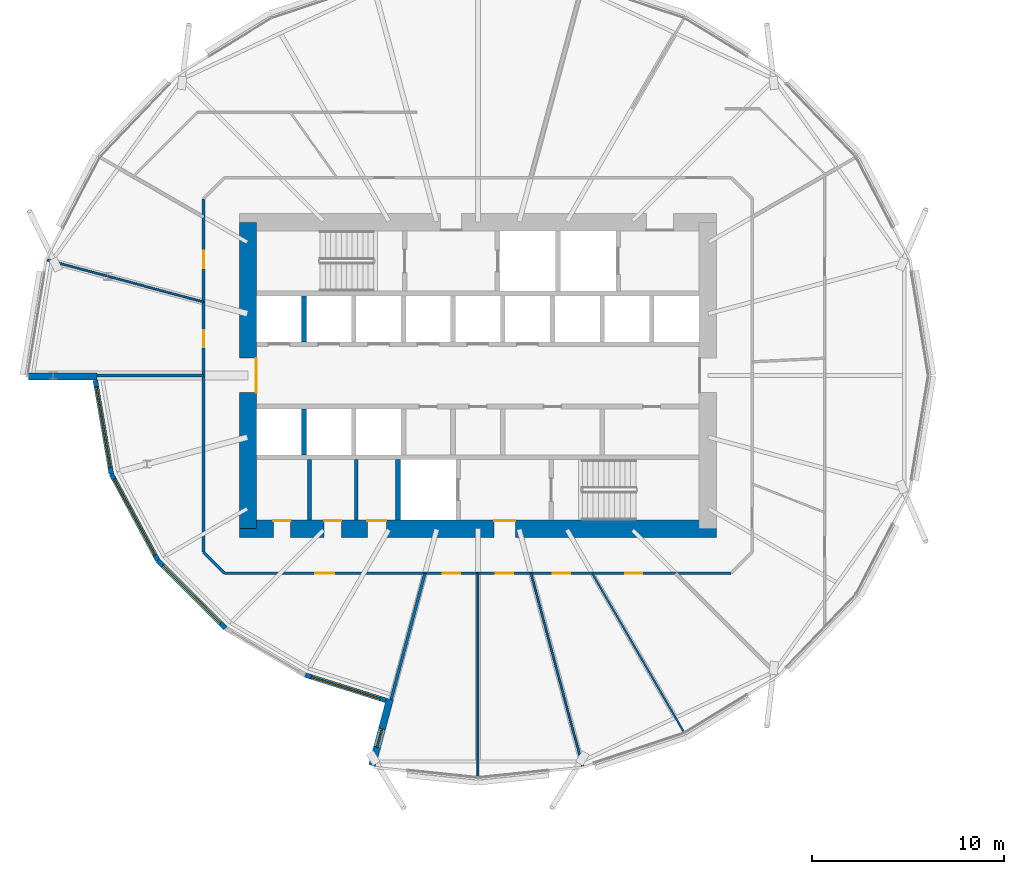
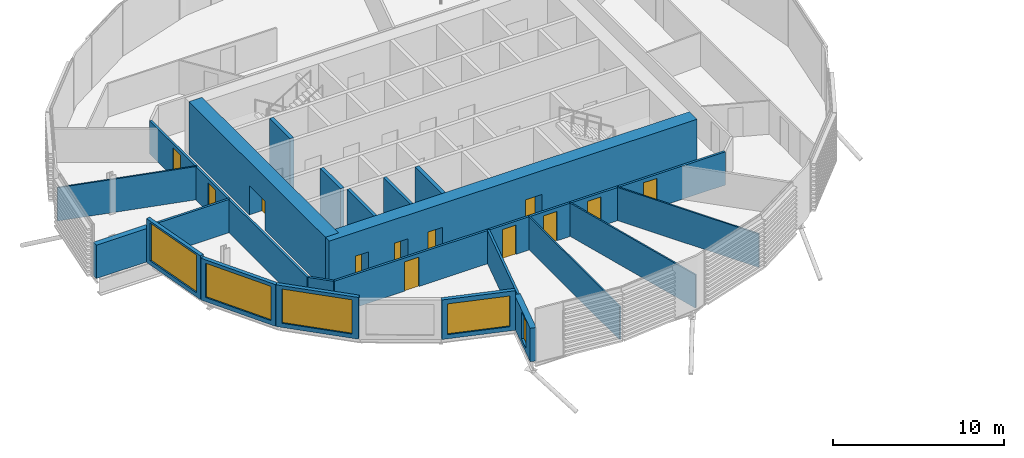
# One storey, part 20 of 38: 22 walls, 12 doors, 5 windows, 17 openings.
"""IFC4 building model written with IfcOpenShell, lengths in metres."""

import ifcopenshell
import ifcopenshell.guid

model = None  # the IFC model being written
_history = None  # IfcOwnerHistory: only IFC2X3 demands one
_inside = {}  # id of a spatial element -> (the spatial element, [elements in it])
_under = {}  # id of a project, library or spatial element -> (it, [spatial elements below it])
_declared = {}  # id of a project -> (the project, [libraries it declares])
_typed = {}  # id of a type object -> (the type object, [elements of that type])
_made_of = {}  # id of a material, layer set ... -> (it, [elements and type objects made of it])


def new_model(schema):
    """Start an empty IFC model of exactly this schema.

    Asked for "IFC4X3", IfcOpenShell would pick the latest addendum, in which some entities
    have other attributes; the version numbers below select the first issue.
    IFC2X3 requires an IfcOwnerHistory on every rooted entity: one is made here for all.
    """
    global model, _history
    if schema == "IFC4X3":
        model = ifcopenshell.file(schema_version=(4, 3, 0, 0))
    else:
        model = ifcopenshell.file(schema=schema)
    _inside.clear()
    _under.clear()
    _declared.clear()
    _typed.clear()
    _made_of.clear()
    _history = None
    if model.schema == "IFC2X3":
        org = make("IfcOrganization", Name="unknown")
        user = make(
            "IfcPersonAndOrganization",
            ThePerson=make("IfcPerson", FamilyName="unknown"),
            TheOrganization=org,
        )
        app = make(
            "IfcApplication",
            ApplicationDeveloper=org,
            Version="unknown",
            ApplicationFullName="unknown",
            ApplicationIdentifier="unknown",
        )
        _history = make(
            "IfcOwnerHistory",
            OwningUser=user,
            OwningApplication=app,
            ChangeAction="ADDED",
            CreationDate=0,
        )
    return model


def make(cls, **values):
    """One entity of the class cls with the attributes given. An attribute that is None is left unset."""
    return model.create_entity(
        cls, **{name: value for name, value in values.items() if value is not None}
    )


def rooted(cls, **values):
    """An entity with a GlobalId (a new one), such as an element, a storey or a relation."""
    return make(cls, GlobalId=ifcopenshell.guid.new(), OwnerHistory=_history, **values)


def si_unit(unit_type, name, prefix=None):
    """IfcSIUnit, for example si_unit("LENGTHUNIT", "METRE", prefix="MILLI")."""
    return make("IfcSIUnit", UnitType=unit_type, Prefix=prefix, Name=name)


def assignment(units):
    """IfcUnitAssignment: the units of a project."""
    return None if units is None else make("IfcUnitAssignment", Units=units)


def point(xyz):
    """IfcCartesianPoint."""
    return None if xyz is None else make("IfcCartesianPoint", Coordinates=xyz)


def direction(xyz):
    """IfcDirection."""
    return None if xyz is None else make("IfcDirection", DirectionRatios=xyz)


def frame(location, z_axis=None, x_axis=None):
    """IfcAxis2Placement3D, a coordinate frame: its origin and axes. An axis left out is left unset."""
    return make(
        "IfcAxis2Placement3D",
        Location=point(location),
        Axis=direction(z_axis),
        RefDirection=direction(x_axis),
    )


def frame_2d(location, x_axis=None):
    """IfcAxis2Placement2D, a coordinate frame in the plane: its origin and x axis."""
    return make(
        "IfcAxis2Placement2D", Location=point(location), RefDirection=direction(x_axis)
    )


def origin():
    """The frame at (0, 0, 0) with its axes left unset."""
    return frame((0.0, 0.0, 0.0))


def place(relative_to, where):
    """IfcLocalPlacement: puts the frame where relative to a parent placement (None: the world)."""
    return make(
        "IfcLocalPlacement", PlacementRelTo=relative_to, RelativePlacement=where
    )


def context(
    kind, dimensions, precision=None, world=None, true_north=None, identifier=None
):
    """IfcGeometricRepresentationContext, for example the 3D "Model" context."""
    return make(
        "IfcGeometricRepresentationContext",
        ContextIdentifier=identifier,
        ContextType=kind,
        CoordinateSpaceDimension=dimensions,
        Precision=precision,
        WorldCoordinateSystem=world,
        TrueNorth=true_north,
    )


def subcontext(parent, identifier, kind, view, scale=None):
    """IfcGeometricRepresentationSubContext, for example "Body" below "Model"."""
    return make(
        "IfcGeometricRepresentationSubContext",
        ContextIdentifier=identifier,
        ContextType=kind,
        ParentContext=parent,
        TargetScale=scale,
        TargetView=view,
    )


def project(units=None, contexts=None):
    """IfcProject with its units and contexts."""
    return rooted(
        "IfcProject",
        Name="project",
        RepresentationContexts=contexts,
        UnitsInContext=assignment(units),
    )


def spatial(cls, under=None, at=None, **own):
    """A site, building, storey or space (cls), placed at a placement, below another one or the project."""
    s = rooted(cls, ObjectPlacement=at, **own)
    if under is not None:
        _under.setdefault(under.id(), (under, []))[1].append(s)
    return s


def profile(cls, at=None, kind="AREA", **sizes):
    """A parametric profile (cls). Its sizes go by their IFC names, for example OverallWidth=200.0."""
    return make(cls, ProfileType=kind, Position=at, **sizes)


def rectangle(**sizes):
    """IfcRectangleProfileDef."""
    return profile("IfcRectangleProfileDef", **sizes)


def extrude(swept, where, along, depth):
    """IfcExtrudedAreaSolid: the profile swept, set in the frame where, extruded along a direction by depth."""
    return make(
        "IfcExtrudedAreaSolid",
        SweptArea=swept,
        Position=where,
        ExtrudedDirection=direction(along),
        Depth=depth,
    )


def shape(context_of_items, identifier, shape_type, items):
    """IfcShapeRepresentation: the items that make up one representation, for example the "Body"."""
    return make(
        "IfcShapeRepresentation",
        ContextOfItems=context_of_items,
        RepresentationIdentifier=identifier,
        RepresentationType=shape_type,
        Items=items,
    )


def material(Name=None, Category=None):
    """IfcMaterial."""
    return make("IfcMaterial", Name=Name, Category=Category)


def layer(
    of_material, thickness, ventilated=None, Name=None, Category=None, Priority=None
):
    """IfcMaterialLayer: one layer of a wall or slab, of a material (None: an air gap)."""
    return make(
        "IfcMaterialLayer",
        Material=of_material,
        LayerThickness=thickness,
        IsVentilated=ventilated,
        Name=Name,
        Category=Category,
        Priority=Priority,
    )


def layer_set(layers, Name=None):
    """IfcMaterialLayerSet."""
    return make("IfcMaterialLayerSet", MaterialLayers=layers, LayerSetName=Name)


def made_of(thing, what):
    """Note that an element or type object is made of a material, layer set ...; save() writes the relation."""
    if what is not None:
        _made_of.setdefault(what.id(), (what, []))[1].append(thing)
    return thing


def type_object(cls, material=None, **own):
    """A type object (cls), such as IfcWallType, which elements share."""
    return made_of(rooted(cls, **own), material)


def element(
    cls,
    number,
    at=None,
    inside=None,
    cuts=None,
    type_object=None,
    material=None,
    context=None,
    identifier="Body",
    shape_type=None,
    held_by="IfcProductDefinitionShape",
    body=None,
    shapes=None,
    **own,
):
    """One element of the class cls, such as IfcWall. Its Tag is "e" and its number.

    at: its placement. inside: the storey or other place that contains it. cuts: it is an
    opening in that element (IfcRelVoidsElement). A single representation is given by context,
    identifier, shape_type and body (its items); several are given by shapes. held_by: the class
    of the entity that holds the representations. save() writes the other relations.
    """
    e = rooted(cls, Tag="e%d" % number, ObjectPlacement=at, **own)
    if body is not None:
        shapes = [shape(context, identifier, shape_type, body)]
    if shapes is not None:
        e.Representation = make(held_by, Representations=shapes)
    if inside is not None:
        _inside.setdefault(inside.id(), (inside, []))[1].append(e)
    if cuts is not None:
        rooted(
            "IfcRelVoidsElement", RelatingBuildingElement=cuts, RelatedOpeningElement=e
        )
    if type_object is not None:
        _typed.setdefault(type_object.id(), (type_object, []))[1].append(e)
    return made_of(e, material)


def fill(opening, filler):
    """IfcRelFillsElement: the door or window that sits in an opening."""
    return rooted(
        "IfcRelFillsElement",
        RelatingOpeningElement=opening,
        RelatedBuildingElement=filler,
    )


def aggregate(whole, parts):
    """IfcRelAggregates: a whole, such as a stair, and the parts it consists of."""
    return rooted("IfcRelAggregates", RelatingObject=whole, RelatedObjects=parts)


def save(model, path):
    """Write the relations noted so far, then the file.

    IfcRelAggregates (storeys below a building ...), IfcRelContainedInSpatialStructure (elements
    in a storey), IfcRelDefinesByType, IfcRelAssociatesMaterial and IfcRelDeclares: one each for
    every whole, place, type object, material and project.
    """
    for whole, parts in _under.values():
        aggregate(whole, parts)
    for where, things in _inside.values():
        rooted(
            "IfcRelContainedInSpatialStructure",
            RelatedElements=things,
            RelatingStructure=where,
        )
    for kind, things in _typed.values():
        rooted("IfcRelDefinesByType", RelatedObjects=things, RelatingType=kind)
    for what, things in _made_of.values():
        rooted("IfcRelAssociatesMaterial", RelatedObjects=things, RelatingMaterial=what)
    for by, libraries in _declared.values():
        rooted("IfcRelDeclares", RelatingContext=by, RelatedDefinitions=libraries)
    model.write(path)


model = new_model("IFC4")

# Units and contexts
model_context = context("Model", 3, precision=1e-05, world=origin(), true_north=direction((0.0, 1.0)))
body_context = subcontext(model_context, "Body", "Model", "MODEL_VIEW")
ifc_project = project(units=[si_unit("LENGTHUNIT", "METRE"), si_unit("AREAUNIT", "SQUARE_METRE"), si_unit("VOLUMEUNIT", "CUBIC_METRE"), si_unit("PLANEANGLEUNIT", "RADIAN"), si_unit("MASSUNIT", "GRAM", prefix="KILO")], contexts=[model_context])

# Site, building, storey
site_placement = place(None, origin())
site = spatial("IfcSite", under=ifc_project, at=site_placement, CompositionType="ELEMENT")
building_placement = place(site_placement, origin())
building = spatial("IfcBuilding", under=site, at=building_placement, Name="Rimbun Link Towers", CompositionType="ELEMENT")
storey_placement = place(building_placement, frame((0.0, 0.0, 71.800048828125)))
storey = spatial("IfcBuildingStorey", under=building, at=storey_placement, Name="L17", CompositionType="ELEMENT", Elevation=71.800048828125)

# Wall, opening, window
ifc_material_1 = material(Name="Dark enamelled glass spandrel on insulated aluminium backpan", Category="aluminium")
ifc_layer_1 = layer(ifc_material_1, 0.25)
ifc_layer_set_1 = layer_set([ifc_layer_1], Name="CS dark enamelled spandrel wall 250")
wall_type_1 = type_object("IfcWallType", Name="CS dark enamelled spandrel wall 250", PredefinedType="STANDARD", material=ifc_layer_set_1)
wall_1_placement = place(storey_placement, frame((-50.895263671875, -5.13916015625, 0.0), z_axis=(0.0, 0.0, 1.0), x_axis=(-0.168005969371, 0.985785977916, 0.0)))
wall_1 = element("IfcWall", 1, at=wall_1_placement, inside=storey, type_object=wall_type_1, Name="Crease spandrel wall", PredefinedType="STANDARD", context=body_context, shape_type="SweptSolid", body=[
    extrude(rectangle(XDim=4.959716796875, YDim=0.25, at=frame_2d((2.47998046875, 0.0))), origin(), (0.0, 0.0, 1.0), 3.136474609375),
])
opening_1_placement = place(wall_1_placement, frame((0.354736328125, 0.0, 0.300048828125)))
opening_1 = element("IfcOpeningElement", 2, at=opening_1_placement, cuts=wall_1, Name="Opening WR42H270", PredefinedType="OPENING", context=body_context, shape_type="SweptSolid", body=[
    extrude(rectangle(XDim=4.25, YDim=2.699951171875, at=frame_2d((2.125, 1.35009765625))), frame((0.0, 0.135009765625, 0.0), z_axis=(0.0, -1.0, 0.0), x_axis=(1.0, 0.0, 0.0)), (0.0, 0.0, 1.0), 0.27001953125),
])
ifc_material_2 = material(Name="Aluminium framed fixed window, dark tinted low-e glass", Category="aluminium")
window_type_1 = type_object("IfcWindowType", Name="WR ribbon window 4250X2700", PartitioningType="SINGLE_PANEL", PredefinedType="WINDOW", material=ifc_material_2)
window_1_placement = place(opening_1_placement, origin())
window_1 = element("IfcWindow", 3, at=window_1_placement, inside=storey, type_object=window_type_1, Name="Crease ribbon window", OverallHeight=2.699951171875, OverallWidth=4.25, PartitioningType="SINGLE_PANEL", PredefinedType="WINDOW", context=body_context, shape_type="SweptSolid", body=[
    extrude(rectangle(XDim=4.25, YDim=2.699951171875, at=frame_2d((2.125, 1.35009765625))), frame((0.0, 0.030029296875, 0.0), z_axis=(0.0, -1.0, 0.0), x_axis=(1.0, 0.0, 0.0)), (0.0, 0.0, 1.0), 0.06005859375),
])
fill(opening_1, window_1)

wall_2_placement = place(storey_placement, frame((-48.462646484375, -9.665771484375, 0.0), z_axis=(0.0, 0.0, 1.0), x_axis=(-0.47337722528, 0.880859808702, 0.0)))
wall_2 = element("IfcWall", 4, at=wall_2_placement, inside=storey, type_object=wall_type_1, Name="Crease spandrel wall", PredefinedType="STANDARD", context=body_context, shape_type="SweptSolid", body=[
    extrude(rectangle(XDim=5.138916015625, YDim=0.25, at=frame_2d((2.5693359375, 0.0))), origin(), (0.0, 0.0, 1.0), 2.9873046875),
])
opening_2_placement = place(wall_2_placement, frame((0.319580078125, 0.0, 0.300048828125)))
opening_2 = element("IfcOpeningElement", 5, at=opening_2_placement, cuts=wall_2, Name="Opening WR45H245", PredefinedType="OPENING", context=body_context, shape_type="SweptSolid", body=[
    extrude(rectangle(XDim=4.5, YDim=2.449951171875, at=frame_2d((2.25, 1.22509765625))), frame((0.0, 0.135009765625, 0.0), z_axis=(0.0, -1.0, 0.0), x_axis=(1.0, 0.0, 0.0)), (0.0, 0.0, 1.0), 0.27001953125),
])
ifc_material_3 = material(Name="Aluminium framed fixed window, dark tinted low-e glass", Category="aluminium")
window_type_2 = type_object("IfcWindowType", Name="WR ribbon window 4500X2450", PartitioningType="SINGLE_PANEL", PredefinedType="WINDOW", material=ifc_material_3)
window_2_placement = place(opening_2_placement, origin())
window_2 = element("IfcWindow", 6, at=window_2_placement, inside=storey, type_object=window_type_2, Name="Crease ribbon window", OverallHeight=2.449951171875, OverallWidth=4.5, PartitioningType="SINGLE_PANEL", PredefinedType="WINDOW", context=body_context, shape_type="SweptSolid", body=[
    extrude(rectangle(XDim=4.5, YDim=2.449951171875, at=frame_2d((2.25, 1.22509765625))), frame((0.0, 0.030029296875, 0.0), z_axis=(0.0, -1.0, 0.0), x_axis=(1.0, 0.0, 0.0)), (0.0, 0.0, 1.0), 0.06005859375),
])
fill(opening_2, window_2)

wall_3_placement = place(storey_placement, frame((-44.928955078125, -13.20166015625, 0.0), z_axis=(0.0, 0.0, 1.0), x_axis=(-0.706886974242, 0.707326519825, 0.0)))
wall_3 = element("IfcWall", 7, at=wall_3_placement, inside=storey, type_object=wall_type_1, Name="Crease spandrel wall", PredefinedType="STANDARD", context=body_context, shape_type="SweptSolid", body=[
    extrude(rectangle(XDim=4.9990234375, YDim=0.25, at=frame_2d((2.49951171875, 0.0))), origin(), (0.0, 0.0, 1.0), 2.9873046875),
])
opening_3_placement = place(wall_3_placement, frame((0.37451171875, 0.0, 0.300048828125)))
opening_3 = element("IfcOpeningElement", 8, at=opening_3_placement, cuts=wall_3, Name="Opening WR42H245", PredefinedType="OPENING", context=body_context, shape_type="SweptSolid", body=[
    extrude(rectangle(XDim=4.25, YDim=2.449951171875, at=frame_2d((2.125, 1.22509765625))), frame((0.0, 0.135009765625, 0.0), z_axis=(0.0, -1.0, 0.0), x_axis=(1.0, 0.0, 0.0)), (0.0, 0.0, 1.0), 0.27001953125),
])
ifc_material_4 = material(Name="Aluminium framed fixed window, dark tinted low-e glass", Category="aluminium")
window_type_3 = type_object("IfcWindowType", Name="WR ribbon window 4250X2450", PartitioningType="SINGLE_PANEL", PredefinedType="WINDOW", material=ifc_material_4)
window_3_placement = place(opening_3_placement, origin())
window_3 = element("IfcWindow", 9, at=window_3_placement, inside=storey, type_object=window_type_3, Name="Crease ribbon window", OverallHeight=2.449951171875, OverallWidth=4.25, PartitioningType="SINGLE_PANEL", PredefinedType="WINDOW", context=body_context, shape_type="SweptSolid", body=[
    extrude(rectangle(XDim=4.25, YDim=2.449951171875, at=frame_2d((2.125, 1.22509765625))), frame((0.0, 0.030029296875, 0.0), z_axis=(0.0, -1.0, 0.0), x_axis=(1.0, 0.0, 0.0)), (0.0, 0.0, 1.0), 0.06005859375),
])
fill(opening_3, window_3)

wall_4_placement = place(storey_placement, frame((-36.555908203125, -16.9697265625, 0.0), z_axis=(0.0, 0.0, 1.0), x_axis=(-0.953753862177, 0.300588706346, 0.0)))
wall_4 = element("IfcWall", 10, at=wall_4_placement, inside=storey, type_object=wall_type_1, Name="Crease spandrel wall", PredefinedType="STANDARD", context=body_context, shape_type="SweptSolid", body=[
    extrude(rectangle(XDim=4.414306640625, YDim=0.25, at=frame_2d((2.20703125, 0.0))), origin(), (0.0, 0.0, 1.0), 2.82763671875),
])
opening_4_placement = place(wall_4_placement, frame((0.332275390625, 0.0, 0.300048828125)))
opening_4 = element("IfcOpeningElement", 11, at=opening_4_placement, cuts=wall_4, Name="Opening WR38H220", PredefinedType="OPENING", context=body_context, shape_type="SweptSolid", body=[
    extrude(rectangle(XDim=3.75, YDim=2.199951171875, at=frame_2d((1.875, 1.10009765625))), frame((0.0, 0.135009765625, 0.0), z_axis=(0.0, -1.0, 0.0), x_axis=(1.0, 0.0, 0.0)), (0.0, 0.0, 1.0), 0.27001953125),
])
ifc_material_5 = material(Name="Aluminium framed fixed window, dark tinted low-e glass", Category="aluminium")
window_type_4 = type_object("IfcWindowType", Name="WR ribbon window 3750X2200", PartitioningType="SINGLE_PANEL", PredefinedType="WINDOW", material=ifc_material_5)
window_4_placement = place(opening_4_placement, origin())
window_4 = element("IfcWindow", 12, at=window_4_placement, inside=storey, type_object=window_type_4, Name="Crease ribbon window", OverallHeight=2.199951171875, OverallWidth=3.75, PartitioningType="SINGLE_PANEL", PredefinedType="WINDOW", context=body_context, shape_type="SweptSolid", body=[
    extrude(rectangle(XDim=3.75, YDim=2.199951171875, at=frame_2d((1.875, 1.10009765625))), frame((0.0, 0.030029296875, 0.0), z_axis=(0.0, -1.0, 0.0), x_axis=(1.0, 0.0, 0.0)), (0.0, 0.0, 1.0), 0.06005859375),
])
fill(opening_4, window_4)

# Wall
ifc_material_6 = material(Name="Dark enamelled glass spandrel on insulated aluminium backpan", Category="aluminium")
ifc_layer_2 = layer(ifc_material_6, 0.3701171875)
ifc_layer_set_2 = layer_set([ifc_layer_2], Name="CS dark enamelled spandrel wall 370")
wall_type_2 = type_object("IfcWallType", Name="CS dark enamelled spandrel wall 370", PredefinedType="STANDARD", material=ifc_layer_set_2)
wall_5_placement = place(storey_placement, frame((-51.644287109375, -0.06494140625, 0.0), z_axis=(0.0, 0.0, 1.0), x_axis=(-1.0, 0.0, 0.0)))
element("IfcWall", 13, at=wall_5_placement, inside=storey, type_object=wall_type_2, Name="Crease spandrel wall", PredefinedType="STANDARD", context=body_context, shape_type="SweptSolid", body=[
    extrude(rectangle(XDim=3.580078125, YDim=0.3701171875, at=frame_2d((1.7900390625, 0.0))), origin(), (0.0, 0.0, 1.0), 2.389892578125),
])

# Wall, opening, window
wall_6_placement = place(storey_placement, frame((-37.274169921875, -20.365234375, 0.0), z_axis=(0.0, 0.0, 1.0), x_axis=(0.258804260405, 0.965929787715, 0.0)))
wall_6 = element("IfcWall", 14, at=wall_6_placement, inside=storey, type_object=wall_type_2, Name="Crease spandrel wall", PredefinedType="STANDARD", context=body_context, shape_type="SweptSolid", body=[
    extrude(rectangle(XDim=3.580078125, YDim=0.3701171875, at=frame_2d((1.7900390625, 0.0))), origin(), (0.0, 0.0, 1.0), 2.389892578125),
])
opening_5_placement = place(wall_6_placement, frame((0.98828125, 0.0, 0.300048828125)))
opening_5 = element("IfcOpeningElement", 15, at=opening_5_placement, cuts=wall_6, Name="Opening WR10H195", PredefinedType="OPENING", context=body_context, shape_type="SweptSolid", body=[
    extrude(rectangle(XDim=1.0, YDim=1.949951171875, at=frame_2d((0.5, 0.97509765625))), frame((0.0, 0.195068359375, 0.0), z_axis=(0.0, -1.0, 0.0), x_axis=(1.0, 0.0, 0.0)), (0.0, 0.0, 1.0), 0.39013671875),
])
ifc_material_7 = material(Name="Aluminium framed fixed window, dark tinted low-e glass", Category="aluminium")
window_type_5 = type_object("IfcWindowType", Name="WR ribbon window 1000X1950", PartitioningType="SINGLE_PANEL", PredefinedType="WINDOW", material=ifc_material_7)
window_5_placement = place(opening_5_placement, origin())
window_5 = element("IfcWindow", 16, at=window_5_placement, inside=storey, type_object=window_type_5, Name="Crease ribbon window", OverallHeight=1.949951171875, OverallWidth=1.0, PartitioningType="SINGLE_PANEL", PredefinedType="WINDOW", context=body_context, shape_type="SweptSolid", body=[
    extrude(rectangle(XDim=1.0, YDim=1.949951171875, at=frame_2d((0.5, 0.97509765625))), frame((0.0, 0.030029296875, 0.0), z_axis=(0.0, -1.0, 0.0), x_axis=(1.0, 0.0, 0.0)), (0.0, 0.0, 1.0), 0.06005859375),
])
fill(opening_5, window_5)

# Walls
ifc_material_8 = material(Name="Masonry blockwork", Category="masonry")
ifc_layer_3 = layer(ifc_material_8, 0.199951171875)
ifc_layer_set_3 = layer_set([ifc_layer_3], Name="Core partition 200")
wall_type_3 = type_object("IfcWallType", Name="Core partition 200", PredefinedType="PARTITIONING", material=ifc_layer_set_3)
for number, where, z_axis, x_axis, name in (
    (17, (-40.550048828125, -4.39990234375, 0.0), (0.0, 0.0, 1.0), (0.0, -1.0, 0.0), "L17 T1 core wall C1"),
    (18, (-38.10009765625, -4.39990234375, 0.0), (0.0, 0.0, 1.0), (0.0, -1.0, 0.0), "L17 T1 core wall C2"),
):
    element("IfcWall", number, at=place(storey_placement, frame(where, z_axis=z_axis, x_axis=x_axis)), inside=storey, type_object=wall_type_3, Name=name, PredefinedType="PARTITIONING", context=body_context, shape_type="SweptSolid", body=[
        extrude(rectangle(XDim=3.150146484375, YDim=0.199951171875, at=frame_2d((1.5751953125, 0.0))), origin(), (0.0, 0.0, 1.0), 3.800048828125),
    ])

# Wall, openings, doors
ifc_material_9 = material(Name="Concrete C60/75", Category="concrete")
ifc_layer_4 = layer(ifc_material_9, 0.89990234375)
ifc_layer_set_4 = layer_set([ifc_layer_4], Name="Core shear wall 900")
wall_type_4 = type_object("IfcWallType", Name="Core shear wall 900", PredefinedType="SHEAR", material=ifc_layer_set_4)
wall_7_placement = place(storey_placement, frame((-44.199951171875, -8.0, 0.0), z_axis=(0.0, 0.0, 1.0), x_axis=(1.0, 0.0, 0.0)))
wall_7 = element("IfcWall", 19, at=wall_7_placement, inside=storey, type_object=wall_type_4, Name="L17 T1 core wall S", PredefinedType="SHEAR", context=body_context, shape_type="SweptSolid", body=[
    extrude(rectangle(XDim=24.89990234375, YDim=0.89990234375, at=frame_2d((12.449951171875, 0.0))), origin(), (0.0, 0.0, 1.0), 3.800048828125),
])
opening_6_placement = place(wall_7_placement, frame((13.300048828125, 0.0, 0.0)))
opening_6 = element("IfcOpeningElement", 20, at=opening_6_placement, cuts=wall_7, Name="Opening C1DCF01S", PredefinedType="OPENING", context=body_context, shape_type="SweptSolid", body=[
    extrude(rectangle(XDim=1.10009765625, YDim=2.10009765625, at=frame_2d((0.550048828125, 1.050048828125))), frame((0.0, 0.4599609375, 0.0), z_axis=(0.0, -1.0, 0.0), x_axis=(1.0, 0.0, 0.0)), (0.0, 0.0, 1.0), 0.919921875),
])
opening_7_placement = place(wall_7_placement, frame((1.77490234375, 0.0, 0.0)))
opening_7 = element("IfcOpeningElement", 21, at=opening_7_placement, cuts=wall_7, Name="Opening C1DWC02S", PredefinedType="OPENING", context=body_context, shape_type="SweptSolid", body=[
    extrude(rectangle(XDim=0.89990234375, YDim=2.10009765625, at=frame_2d((0.449951171875, 1.050048828125))), frame((0.0, 0.4599609375, 0.0), z_axis=(0.0, -1.0, 0.0), x_axis=(1.0, 0.0, 0.0)), (0.0, 0.0, 1.0), 0.919921875),
])
opening_8_placement = place(wall_7_placement, frame((4.425048828125, 0.0, 0.0)))
opening_8 = element("IfcOpeningElement", 22, at=opening_8_placement, cuts=wall_7, Name="Opening C1DWC03S", PredefinedType="OPENING", context=body_context, shape_type="SweptSolid", body=[
    extrude(rectangle(XDim=0.89990234375, YDim=2.10009765625, at=frame_2d((0.449951171875, 1.050048828125))), frame((0.0, 0.4599609375, 0.0), z_axis=(0.0, -1.0, 0.0), x_axis=(1.0, 0.0, 0.0)), (0.0, 0.0, 1.0), 0.919921875),
])
opening_9_placement = place(wall_7_placement, frame((6.675048828125, 0.0, 0.0)))
opening_9 = element("IfcOpeningElement", 23, at=opening_9_placement, cuts=wall_7, Name="Opening C1DAW04S", PredefinedType="OPENING", context=body_context, shape_type="SweptSolid", body=[
    extrude(rectangle(XDim=1.0, YDim=2.10009765625, at=frame_2d((0.5, 1.050048828125))), frame((0.0, 0.4599609375, 0.0), z_axis=(0.0, -1.0, 0.0), x_axis=(1.0, 0.0, 0.0)), (0.0, 0.0, 1.0), 0.919921875),
])
ifc_material_10 = material(Name="Timber", Category="wood")
door_type_1 = type_object("IfcDoorType", Name="Accessible WC door", OperationType="SINGLE_SWING_LEFT", PredefinedType="DOOR", material=ifc_material_10)
door_1_placement = place(opening_9_placement, origin())
door_1 = element("IfcDoor", 24, at=door_1_placement, inside=storey, type_object=door_type_1, Name="L17 T1 accessible wc door", OperationType="SINGLE_SWING_LEFT", OverallHeight=2.10009765625, OverallWidth=1.0, PredefinedType="DOOR", context=body_context, shape_type="SweptSolid", body=[
    extrude(rectangle(XDim=1.0, YDim=2.10009765625, at=frame_2d((0.5, 1.050048828125))), frame((0.0, 0.4501953125, 0.0), z_axis=(0.0, -1.0, 0.0), x_axis=(1.0, 0.0, 0.0)), (0.0, 0.0, 1.0), 0.050048828125),
])
fill(opening_9, door_1)
ifc_material_11 = material(Name="Steel fire door set", Category="steel")
door_type_2 = type_object("IfcDoorType", Name="Core fire door single", OperationType="SINGLE_SWING_LEFT", PredefinedType="DOOR", material=ifc_material_11)
door_2_placement = place(opening_6_placement, origin())
door_2 = element("IfcDoor", 25, at=door_2_placement, inside=storey, type_object=door_type_2, Name="L17 T1 firefighting lobby s door", OperationType="SINGLE_SWING_RIGHT", OverallHeight=2.10009765625, OverallWidth=1.10009765625, PredefinedType="DOOR", context=body_context, shape_type="SweptSolid", body=[
    extrude(rectangle(XDim=1.10009765625, YDim=2.10009765625, at=frame_2d((0.550048828125, 1.050048828125))), frame((0.0, 0.4501953125, 0.0), z_axis=(0.0, -1.0, 0.0), x_axis=(1.0, 0.0, 0.0)), (0.0, 0.0, 1.0), 0.050048828125),
])
fill(opening_6, door_2)
ifc_material_12 = material(Name="Timber", Category="wood")
door_type_3 = type_object("IfcDoorType", Name="WC door", OperationType="SINGLE_SWING_LEFT", PredefinedType="DOOR", material=ifc_material_12)
door_3_placement = place(opening_7_placement, origin())
door_3 = element("IfcDoor", 26, at=door_3_placement, inside=storey, type_object=door_type_3, Name="L17 T1 male wc door", OperationType="SINGLE_SWING_RIGHT", OverallHeight=2.10009765625, OverallWidth=0.89990234375, PredefinedType="DOOR", context=body_context, shape_type="SweptSolid", body=[
    extrude(rectangle(XDim=0.89990234375, YDim=2.10009765625, at=frame_2d((0.449951171875, 1.050048828125))), frame((0.0, 0.4501953125, 0.0), z_axis=(0.0, -1.0, 0.0), x_axis=(1.0, 0.0, 0.0)), (0.0, 0.0, 1.0), 0.050048828125),
])
fill(opening_7, door_3)
door_4_placement = place(opening_8_placement, origin())
door_4 = element("IfcDoor", 27, at=door_4_placement, inside=storey, type_object=door_type_3, Name="L17 T1 female wc door", OperationType="SINGLE_SWING_RIGHT", OverallHeight=2.10009765625, OverallWidth=0.89990234375, PredefinedType="DOOR", context=body_context, shape_type="SweptSolid", body=[
    extrude(rectangle(XDim=0.89990234375, YDim=2.10009765625, at=frame_2d((0.449951171875, 1.050048828125))), frame((0.0, 0.4501953125, 0.0), z_axis=(0.0, -1.0, 0.0), x_axis=(1.0, 0.0, 0.0)), (0.0, 0.0, 1.0), 0.050048828125),
])
fill(opening_8, door_4)

# Wall, opening, door
wall_8_placement = place(storey_placement, frame((-43.75, -8.0, 0.0), z_axis=(0.0, 0.0, 1.0), x_axis=(0.0, 1.0, 0.0)))
wall_8 = element("IfcWall", 28, at=wall_8_placement, inside=storey, type_object=wall_type_4, Name="L17 T1 core wall W", PredefinedType="SHEAR", context=body_context, shape_type="SweptSolid", body=[
    extrude(rectangle(XDim=16.0, YDim=0.89990234375, at=frame_2d((8.0, 0.0))), origin(), (0.0, 0.0, 1.0), 3.800048828125),
])
opening_10_placement = place(wall_8_placement, frame((7.10009765625, 0.0, 0.0)))
opening_10 = element("IfcOpeningElement", 29, at=opening_10_placement, cuts=wall_8, Name="Opening C1DCL01W", PredefinedType="OPENING", context=body_context, shape_type="SweptSolid", body=[
    extrude(rectangle(XDim=1.800048828125, YDim=2.10009765625, at=frame_2d((0.89990234375, 1.050048828125))), frame((0.0, 0.4599609375, 0.0), z_axis=(0.0, -1.0, 0.0), x_axis=(1.0, 0.0, 0.0)), (0.0, 0.0, 1.0), 0.919921875),
])
ifc_material_13 = material(Name="Steel fire door set", Category="steel")
door_type_4 = type_object("IfcDoorType", Name="Core lobby door double", OperationType="DOUBLE_DOOR_SINGLE_SWING", PredefinedType="DOOR", material=ifc_material_13)
door_5_placement = place(opening_10_placement, origin())
door_5 = element("IfcDoor", 30, at=door_5_placement, inside=storey, type_object=door_type_4, Name="L17 T1 lift lobby door", OperationType="DOUBLE_DOOR_SINGLE_SWING", OverallHeight=2.10009765625, OverallWidth=1.800048828125, PredefinedType="DOOR", context=body_context, shape_type="SweptSolid", body=[
    extrude(rectangle(XDim=1.800048828125, YDim=2.10009765625, at=frame_2d((0.89990234375, 1.050048828125))), frame((0.0, -0.39990234375, 0.0), z_axis=(0.0, -1.0, 0.0), x_axis=(1.0, 0.0, 0.0)), (0.0, 0.0, 1.0), 0.050048828125),
])
fill(opening_10, door_5)

# Wall, openings, doors
ifc_material_14 = material(Name="Plasterboard on steel stud, mineral wool", Category="steel")
ifc_layer_5 = layer(ifc_material_14, 0.14990234375)
ifc_layer_set_5 = layer_set([ifc_layer_5], Name="Corridor wall EI 30 150 mm")
wall_type_5 = type_object("IfcWallType", Name="Corridor wall EI 30 150 mm", PredefinedType="PARTITIONING", material=ifc_layer_set_5)
wall_9_placement = place(storey_placement, frame((-18.523193359375, -10.324951171875, 0.0), z_axis=(0.0, 0.0, 1.0), x_axis=(-1.0, 0.0, 0.0)))
wall_9 = element("IfcWall", 31, at=wall_9_placement, inside=storey, type_object=wall_type_5, Name="Corridor wall EI 30 150 mm", PredefinedType="PARTITIONING", context=body_context, shape_type="SweptSolid", body=[
    extrude(rectangle(XDim=26.45361328125, YDim=0.14990234375, at=frame_2d((13.226806640625, 0.0))), origin(), (0.0, 0.0, 1.0), 2.3798828125),
])
opening_11_placement = place(wall_9_placement, frame((14.159912109375, 0.0, 0.0)))
opening_11 = element("IfcOpeningElement", 32, at=opening_11_placement, cuts=wall_9, Name="Opening D02", PredefinedType="OPENING", context=body_context, shape_type="SweptSolid", body=[
    extrude(rectangle(XDim=0.89990234375, YDim=2.10009765625, at=frame_2d((0.449951171875, 1.050048828125))), frame((0.0, 0.0849609375, 0.0), z_axis=(0.0, -1.0, 0.0), x_axis=(1.0, 0.0, 0.0)), (0.0, 0.0, 1.0), 0.169921875),
])
opening_12_placement = place(wall_9_placement, frame((11.393310546875, 0.0, 0.0)))
opening_12 = element("IfcOpeningElement", 33, at=opening_12_placement, cuts=wall_9, Name="Opening D02", PredefinedType="OPENING", context=body_context, shape_type="SweptSolid", body=[
    extrude(rectangle(XDim=0.89990234375, YDim=2.10009765625, at=frame_2d((0.449951171875, 1.050048828125))), frame((0.0, 0.0849609375, 0.0), z_axis=(0.0, -1.0, 0.0), x_axis=(1.0, 0.0, 0.0)), (0.0, 0.0, 1.0), 0.169921875),
])
opening_13_placement = place(wall_9_placement, frame((8.412841796875, 0.0, 0.0)))
opening_13 = element("IfcOpeningElement", 34, at=opening_13_placement, cuts=wall_9, Name="Opening D02", PredefinedType="OPENING", context=body_context, shape_type="SweptSolid", body=[
    extrude(rectangle(XDim=0.89990234375, YDim=2.10009765625, at=frame_2d((0.449951171875, 1.050048828125))), frame((0.0, 0.0849609375, 0.0), z_axis=(0.0, -1.0, 0.0), x_axis=(1.0, 0.0, 0.0)), (0.0, 0.0, 1.0), 0.169921875),
])
opening_14_placement = place(wall_9_placement, frame((4.633544921875, 0.0, 0.0)))
opening_14 = element("IfcOpeningElement", 35, at=opening_14_placement, cuts=wall_9, Name="Opening D02", PredefinedType="OPENING", context=body_context, shape_type="SweptSolid", body=[
    extrude(rectangle(XDim=0.89990234375, YDim=2.10009765625, at=frame_2d((0.449951171875, 1.050048828125))), frame((0.0, 0.0849609375, 0.0), z_axis=(0.0, -1.0, 0.0), x_axis=(1.0, 0.0, 0.0)), (0.0, 0.0, 1.0), 0.169921875),
])
opening_15_placement = place(wall_9_placement, frame((20.723388671875, 0.0, 0.0)))
opening_15 = element("IfcOpeningElement", 36, at=opening_15_placement, cuts=wall_9, Name="Opening D01", PredefinedType="OPENING", context=body_context, shape_type="SweptSolid", body=[
    extrude(rectangle(XDim=1.0, YDim=2.10009765625, at=frame_2d((0.5, 1.050048828125))), frame((0.0, 0.0849609375, 0.0), z_axis=(0.0, -1.0, 0.0), x_axis=(1.0, 0.0, 0.0)), (0.0, 0.0, 1.0), 0.169921875),
])
ifc_material_15 = material(Name="Fire-resisting timber door leaf", Category="wood")
door_type_5 = type_object("IfcDoorType", Name="Fire door FD30S 1000", OperationType="NOTDEFINED", PredefinedType="DOOR", material=ifc_material_15)
door_6_placement = place(opening_15_placement, origin())
door_6 = element("IfcDoor", 37, at=door_6_placement, inside=storey, type_object=door_type_5, Name="Fire door FD30S 1000 to Terrace office", OperationType="SINGLE_SWING_RIGHT", OverallHeight=2.10009765625, OverallWidth=1.0, PredefinedType="DOOR", context=body_context, shape_type="SweptSolid", body=[
    extrude(rectangle(XDim=1.0, YDim=2.10009765625, at=frame_2d((0.5, 1.050048828125))), frame((0.0, 0.02490234375, 0.0), z_axis=(0.0, -1.0, 0.0), x_axis=(1.0, 0.0, 0.0)), (0.0, 0.0, 1.0), 0.050048828125),
])
fill(opening_15, door_6)
ifc_material_16 = material(Name="Fire-resisting timber door leaf", Category="wood")
door_type_6 = type_object("IfcDoorType", Name="Fire door FD30S 900", OperationType="NOTDEFINED", PredefinedType="DOOR", material=ifc_material_16)
door_7_placement = place(opening_11_placement, origin())
door_7 = element("IfcDoor", 38, at=door_7_placement, inside=storey, type_object=door_type_6, Name="Fire door FD30S 900 to Cellular office", OperationType="SINGLE_SWING_LEFT", OverallHeight=2.10009765625, OverallWidth=0.89990234375, PredefinedType="DOOR", context=body_context, shape_type="SweptSolid", body=[
    extrude(rectangle(XDim=0.89990234375, YDim=2.10009765625, at=frame_2d((0.449951171875, 1.050048828125))), frame((0.0, 0.02490234375, 0.0), z_axis=(0.0, -1.0, 0.0), x_axis=(1.0, 0.0, 0.0)), (0.0, 0.0, 1.0), 0.050048828125),
])
fill(opening_11, door_7)
door_8_placement = place(opening_12_placement, origin())
door_8 = element("IfcDoor", 39, at=door_8_placement, inside=storey, type_object=door_type_6, Name="Fire door FD30S 900 to Cellular office", OperationType="SINGLE_SWING_RIGHT", OverallHeight=2.10009765625, OverallWidth=0.89990234375, PredefinedType="DOOR", context=body_context, shape_type="SweptSolid", body=[
    extrude(rectangle(XDim=0.89990234375, YDim=2.10009765625, at=frame_2d((0.449951171875, 1.050048828125))), frame((0.0, 0.02490234375, 0.0), z_axis=(0.0, -1.0, 0.0), x_axis=(1.0, 0.0, 0.0)), (0.0, 0.0, 1.0), 0.050048828125),
])
fill(opening_12, door_8)
door_9_placement = place(opening_13_placement, origin())
door_9 = element("IfcDoor", 40, at=door_9_placement, inside=storey, type_object=door_type_6, Name="Fire door FD30S 900 to Cellular office", OperationType="SINGLE_SWING_LEFT", OverallHeight=2.10009765625, OverallWidth=0.89990234375, PredefinedType="DOOR", context=body_context, shape_type="SweptSolid", body=[
    extrude(rectangle(XDim=0.89990234375, YDim=2.10009765625, at=frame_2d((0.449951171875, 1.050048828125))), frame((0.0, 0.02490234375, 0.0), z_axis=(0.0, -1.0, 0.0), x_axis=(1.0, 0.0, 0.0)), (0.0, 0.0, 1.0), 0.050048828125),
])
fill(opening_13, door_9)
door_10_placement = place(opening_14_placement, origin())
door_10 = element("IfcDoor", 41, at=door_10_placement, inside=storey, type_object=door_type_6, Name="Fire door FD30S 900 to Meeting room", OperationType="SINGLE_SWING_RIGHT", OverallHeight=2.10009765625, OverallWidth=0.89990234375, PredefinedType="DOOR", context=body_context, shape_type="SweptSolid", body=[
    extrude(rectangle(XDim=0.89990234375, YDim=2.10009765625, at=frame_2d((0.449951171875, 1.050048828125))), frame((0.0, 0.02490234375, 0.0), z_axis=(0.0, -1.0, 0.0), x_axis=(1.0, 0.0, 0.0)), (0.0, 0.0, 1.0), 0.050048828125),
])
fill(opening_14, door_10)

# Wall
wall_10_placement = place(storey_placement, frame((-46.074951171875, -9.226806640625, 0.0), z_axis=(0.0, 0.0, 1.0), x_axis=(0.707106781187, -0.707106781187, 0.0)))
element("IfcWall", 42, at=wall_10_placement, inside=storey, type_object=wall_type_5, Name="Corridor wall EI 30 150 mm", PredefinedType="PARTITIONING", context=body_context, shape_type="SweptSolid", body=[
    extrude(rectangle(XDim=1.552978515625, YDim=0.14990234375, at=frame_2d((0.7763671875, 0.0))), origin(), (0.0, 0.0, 1.0), 2.3798828125),
])

# Wall, openings, doors
wall_11_placement = place(storey_placement, frame((-46.074951171875, -9.226806640625, 0.0), z_axis=(0.0, 0.0, 1.0), x_axis=(0.0, 1.0, 0.0)))
wall_11 = element("IfcWall", 43, at=wall_11_placement, inside=storey, type_object=wall_type_5, Name="Corridor wall EI 30 150 mm", PredefinedType="PARTITIONING", context=body_context, shape_type="SweptSolid", body=[
    extrude(rectangle(XDim=18.45361328125, YDim=0.14990234375, at=frame_2d((9.226806640625, 0.0))), origin(), (0.0, 0.0, 1.0), 2.3798828125),
])
opening_16_placement = place(wall_11_placement, frame((14.831298828125, 0.0, 0.0)))
opening_16 = element("IfcOpeningElement", 44, at=opening_16_placement, cuts=wall_11, Name="Opening D02", PredefinedType="OPENING", context=body_context, shape_type="SweptSolid", body=[
    extrude(rectangle(XDim=0.89990234375, YDim=2.10009765625, at=frame_2d((0.449951171875, 1.050048828125))), frame((0.0, 0.0849609375, 0.0), z_axis=(0.0, -1.0, 0.0), x_axis=(1.0, 0.0, 0.0)), (0.0, 0.0, 1.0), 0.169921875),
])
opening_17_placement = place(wall_11_placement, frame((10.69580078125, 0.0, 0.0)))
opening_17 = element("IfcOpeningElement", 45, at=opening_17_placement, cuts=wall_11, Name="Opening D02", PredefinedType="OPENING", context=body_context, shape_type="SweptSolid", body=[
    extrude(rectangle(XDim=0.89990234375, YDim=2.10009765625, at=frame_2d((0.449951171875, 1.050048828125))), frame((0.0, 0.0849609375, 0.0), z_axis=(0.0, -1.0, 0.0), x_axis=(1.0, 0.0, 0.0)), (0.0, 0.0, 1.0), 0.169921875),
])
door_11_placement = place(opening_16_placement, origin())
door_11 = element("IfcDoor", 46, at=door_11_placement, inside=storey, type_object=door_type_6, Name="Fire door FD30S 900 to Meeting room", OperationType="SINGLE_SWING_RIGHT", OverallHeight=2.10009765625, OverallWidth=0.89990234375, PredefinedType="DOOR", context=body_context, shape_type="SweptSolid", body=[
    extrude(rectangle(XDim=0.89990234375, YDim=2.10009765625, at=frame_2d((0.449951171875, 1.050048828125))), frame((0.0, 0.02490234375, 0.0), z_axis=(0.0, -1.0, 0.0), x_axis=(1.0, 0.0, 0.0)), (0.0, 0.0, 1.0), 0.050048828125),
])
fill(opening_16, door_11)
door_12_placement = place(opening_17_placement, origin())
door_12 = element("IfcDoor", 47, at=door_12_placement, inside=storey, type_object=door_type_6, Name="Fire door FD30S 900 to Meeting room", OperationType="SINGLE_SWING_LEFT", OverallHeight=2.10009765625, OverallWidth=0.89990234375, PredefinedType="DOOR", context=body_context, shape_type="SweptSolid", body=[
    extrude(rectangle(XDim=0.89990234375, YDim=2.10009765625, at=frame_2d((0.449951171875, 1.050048828125))), frame((0.0, 0.02490234375, 0.0), z_axis=(0.0, -1.0, 0.0), x_axis=(1.0, 0.0, 0.0)), (0.0, 0.0, 1.0), 0.050048828125),
])
fill(opening_17, door_12)

# Walls
ifc_material_17 = material(Name="Plasterboard on steel stud", Category="steel")
ifc_layer_6 = layer(ifc_material_17, 0.10009765625)
ifc_layer_set_6 = layer_set([ifc_layer_6], Name="Plasterboard partition 100 mm")
wall_type_6 = type_object("IfcWallType", Name="Plasterboard partition 100 mm", PredefinedType="PARTITIONING", material=ifc_layer_set_6)
wall_12_placement = place(storey_placement, frame((-31.75, -20.97705078125, 0.0), z_axis=(0.0, 0.0, 1.0), x_axis=(0.0, 1.0, 0.0)))
element("IfcWall", 48, at=wall_12_placement, inside=storey, type_object=wall_type_6, Name="Plasterboard partition 100 mm", PredefinedType="PARTITIONING", context=body_context, shape_type="SweptSolid", body=[
    extrude(rectangle(XDim=10.652099609375, YDim=0.10009765625, at=frame_2d((5.326171875, 0.0))), origin(), (0.0, 0.0, 1.0), 2.3798828125),
])
wall_13_placement = place(storey_placement, frame((-26.283447265625, -20.4013671875, 0.0), z_axis=(0.0, 0.0, 1.0), x_axis=(-0.258817581696, 0.965926218406, 0.0)))
element("IfcWall", 49, at=wall_13_placement, inside=storey, type_object=wall_type_6, Name="Plasterboard partition 100 mm", PredefinedType="PARTITIONING", context=body_context, shape_type="SweptSolid", body=[
    extrude(rectangle(XDim=10.431884765625, YDim=0.10009765625, at=frame_2d((5.2158203125, 0.0))), origin(), (0.0, 0.0, 1.0), 2.3798828125),
])
wall_14_placement = place(storey_placement, frame((-20.985107421875, -18.6455078125, 0.0), z_axis=(0.0, 0.0, 1.0), x_axis=(-0.499987144685, 0.866032825677, 0.0)))
element("IfcWall", 50, at=wall_14_placement, inside=storey, type_object=wall_type_6, Name="Plasterboard partition 100 mm", PredefinedType="PARTITIONING", context=body_context, shape_type="SweptSolid", body=[
    extrude(rectangle(XDim=9.607666015625, YDim=0.10009765625, at=frame_2d((4.8037109375, 0.0))), origin(), (0.0, 0.0, 1.0), 2.3798828125),
])
wall_15_placement = place(storey_placement, frame((-54.252685546875, 6.029541015625, 0.0), z_axis=(0.0, 0.0, 1.0), x_axis=(0.965927456645, -0.258812960455, 0.0)))
element("IfcWall", 51, at=wall_15_placement, inside=storey, type_object=wall_type_6, Name="Plasterboard partition 100 mm", PredefinedType="PARTITIONING", context=body_context, shape_type="SweptSolid", body=[
    extrude(rectangle(XDim=8.46630859375, YDim=0.10009765625, at=frame_2d((4.233154296875, 0.0))), origin(), (0.0, 0.0, 1.0), 2.3798828125),
])
ifc_material_18 = material(Name="Concrete C60/75", Category="concrete")
ifc_layer_7 = layer(ifc_material_18, 0.25)
ifc_layer_set_7 = layer_set([ifc_layer_7], Name="Shaft wall 250")
wall_type_7 = type_object("IfcWallType", Name="Shaft wall 250", PredefinedType="SHEAR", material=ifc_layer_set_7)
for number, where, z_axis, x_axis, name in (
    (52, (-40.83056640625, 1.75, 0.0), (0.0, 0.0, 1.0), (0.0, 1.0, 0.0), "L17 T1 core wall DN0"),
    (53, (-40.83056640625, -4.14990234375, 0.0), (0.0, 0.0, 1.0), (0.0, 1.0, 0.0), "L17 T1 core wall DS0"),
):
    element("IfcWall", number, at=place(storey_placement, frame(where, z_axis=z_axis, x_axis=x_axis)), inside=storey, type_object=wall_type_7, Name=name, PredefinedType="SHEAR", context=body_context, shape_type="SweptSolid", body=[
        extrude(rectangle(XDim=2.39990234375, YDim=0.25, at=frame_2d((1.199951171875, 0.0))), origin(), (0.0, 0.0, 1.0), 3.800048828125),
    ])
wall_16_placement = place(storey_placement, frame((-35.925048828125, -4.39990234375, 0.0), z_axis=(0.0, 0.0, 1.0), x_axis=(0.0, -1.0, 0.0)))
element("IfcWall", 54, at=wall_16_placement, inside=storey, type_object=wall_type_7, Name="L17 T1 core wall B3", PredefinedType="SHEAR", context=body_context, shape_type="SweptSolid", body=[
    extrude(rectangle(XDim=3.150146484375, YDim=0.25, at=frame_2d((1.5751953125, 0.0))), origin(), (0.0, 0.0, 1.0), 3.800048828125),
])
ifc_material_19 = material(Name="Plasterboard on steel stud, mineral wool", Category="steel")
ifc_layer_8 = layer(ifc_material_19, 0.14990234375)
ifc_layer_set_8 = layer_set([ifc_layer_8], Name="Tenancy separation wall EI 60 150 mm")
wall_type_8 = type_object("IfcWallType", Name="Tenancy separation wall EI 60 150 mm", PredefinedType="PARTITIONING", material=ifc_layer_set_8)
wall_17_placement = place(storey_placement, frame((-46.074951171875, 0.0, 0.0), z_axis=(0.0, 0.0, 1.0), x_axis=(-1.0, 0.0, 0.0)))
element("IfcWall", 55, at=wall_17_placement, inside=storey, type_object=wall_type_8, Name="Tenancy separation wall EI 60 150 mm", PredefinedType="PARTITIONING", context=body_context, shape_type="SweptSolid", body=[
    extrude(rectangle(XDim=5.5693359375, YDim=0.14990234375, at=frame_2d((2.78466796875, 0.0))), origin(), (0.0, 0.0, 1.0), 2.3798828125),
])
wall_18_placement = place(storey_placement, frame((-34.5166015625, -10.324951171875, 0.0), z_axis=(0.0, 0.0, 1.0), x_axis=(-0.25883015873, -0.965922848333, 0.0)))
element("IfcWall", 56, at=wall_18_placement, inside=storey, type_object=wall_type_8, Name="Tenancy separation wall EI 60 150 mm", PredefinedType="PARTITIONING", context=body_context, shape_type="SweptSolid", body=[
    extrude(rectangle(XDim=6.83203125, YDim=0.14990234375, at=frame_2d((3.416015625, 0.0))), origin(), (0.0, 0.0, 1.0), 2.3798828125),
])

save(model, "model.ifc")
